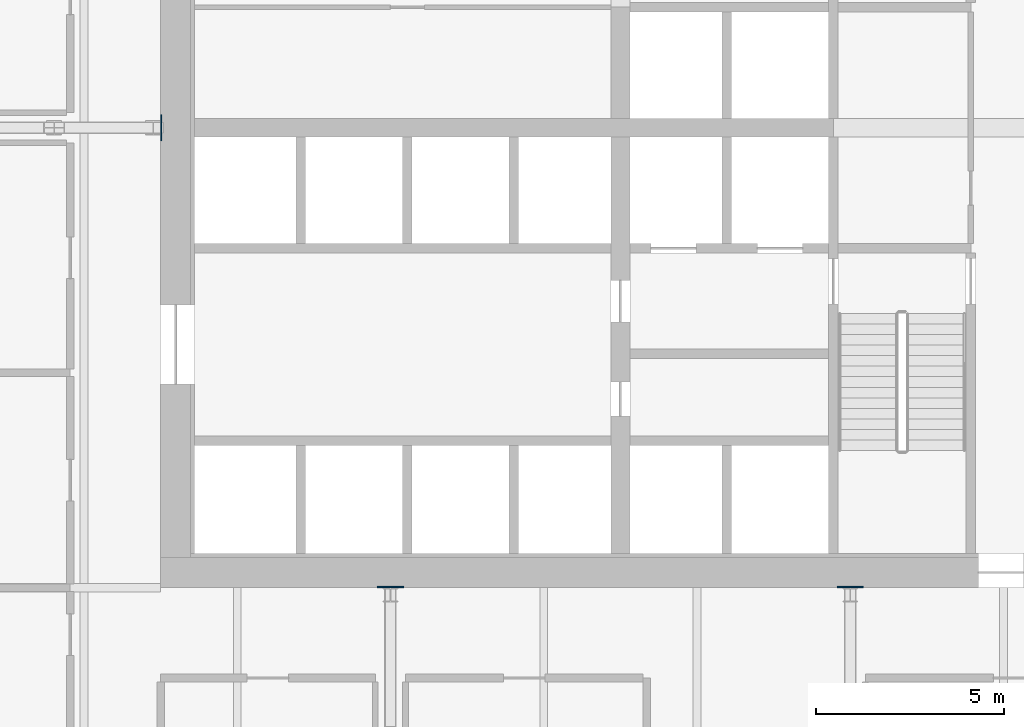
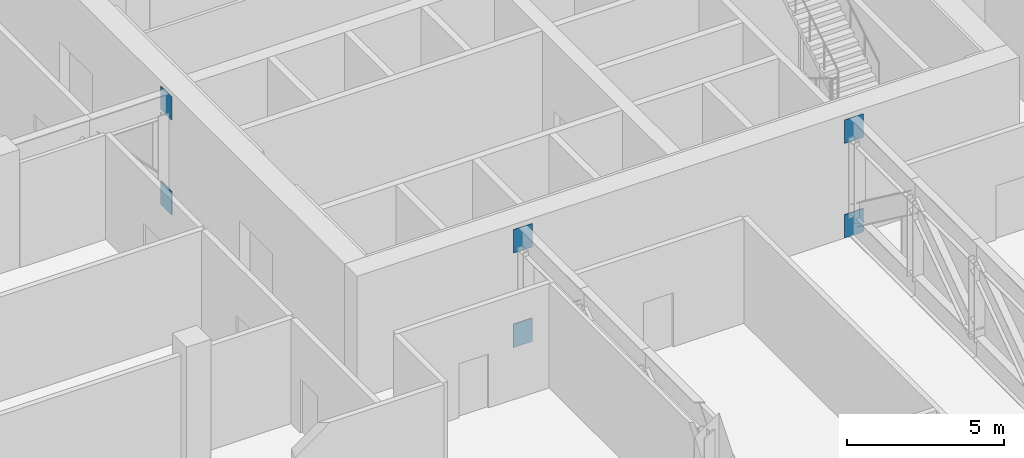
# One storey, part 18 of 21: 6 discrete accessories.
"""IFC4 building model written with IfcOpenShell, lengths in metres."""

import ifcopenshell
import ifcopenshell.guid

model = None  # the IFC model being written
_history = None  # IfcOwnerHistory: only IFC2X3 demands one
_inside = {}  # id of a spatial element -> (the spatial element, [elements in it])
_under = {}  # id of a project, library or spatial element -> (it, [spatial elements below it])
_declared = {}  # id of a project -> (the project, [libraries it declares])
_typed = {}  # id of a type object -> (the type object, [elements of that type])
_made_of = {}  # id of a material, layer set ... -> (it, [elements and type objects made of it])


def new_model(schema):
    """Start an empty IFC model of exactly this schema.

    Asked for "IFC4X3", IfcOpenShell would pick the latest addendum, in which some entities
    have other attributes; the version numbers below select the first issue.
    IFC2X3 requires an IfcOwnerHistory on every rooted entity: one is made here for all.
    """
    global model, _history
    if schema == "IFC4X3":
        model = ifcopenshell.file(schema_version=(4, 3, 0, 0))
    else:
        model = ifcopenshell.file(schema=schema)
    _inside.clear()
    _under.clear()
    _declared.clear()
    _typed.clear()
    _made_of.clear()
    _history = None
    if model.schema == "IFC2X3":
        org = make("IfcOrganization", Name="unknown")
        user = make(
            "IfcPersonAndOrganization",
            ThePerson=make("IfcPerson", FamilyName="unknown"),
            TheOrganization=org,
        )
        app = make(
            "IfcApplication",
            ApplicationDeveloper=org,
            Version="unknown",
            ApplicationFullName="unknown",
            ApplicationIdentifier="unknown",
        )
        _history = make(
            "IfcOwnerHistory",
            OwningUser=user,
            OwningApplication=app,
            ChangeAction="ADDED",
            CreationDate=0,
        )
    return model


def make(cls, **values):
    """One entity of the class cls with the attributes given. An attribute that is None is left unset."""
    return model.create_entity(
        cls, **{name: value for name, value in values.items() if value is not None}
    )


def rooted(cls, **values):
    """An entity with a GlobalId (a new one), such as an element, a storey or a relation."""
    return make(cls, GlobalId=ifcopenshell.guid.new(), OwnerHistory=_history, **values)


def si_unit(unit_type, name, prefix=None):
    """IfcSIUnit, for example si_unit("LENGTHUNIT", "METRE", prefix="MILLI")."""
    return make("IfcSIUnit", UnitType=unit_type, Prefix=prefix, Name=name)


def assignment(units):
    """IfcUnitAssignment: the units of a project."""
    return None if units is None else make("IfcUnitAssignment", Units=units)


def point(xyz):
    """IfcCartesianPoint."""
    return None if xyz is None else make("IfcCartesianPoint", Coordinates=xyz)


def direction(xyz):
    """IfcDirection."""
    return None if xyz is None else make("IfcDirection", DirectionRatios=xyz)


def frame(location, z_axis=None, x_axis=None):
    """IfcAxis2Placement3D, a coordinate frame: its origin and axes. An axis left out is left unset."""
    return make(
        "IfcAxis2Placement3D",
        Location=point(location),
        Axis=direction(z_axis),
        RefDirection=direction(x_axis),
    )


def frame_2d(location, x_axis=None):
    """IfcAxis2Placement2D, a coordinate frame in the plane: its origin and x axis."""
    return make(
        "IfcAxis2Placement2D", Location=point(location), RefDirection=direction(x_axis)
    )


def origin():
    """The frame at (0, 0, 0) with its axes left unset."""
    return frame((0.0, 0.0, 0.0))


def origin_2d():
    """The frame at (0, 0) in the plane with its x axis left unset."""
    return frame_2d((0.0, 0.0))


def place(relative_to, where):
    """IfcLocalPlacement: puts the frame where relative to a parent placement (None: the world)."""
    return make(
        "IfcLocalPlacement", PlacementRelTo=relative_to, RelativePlacement=where
    )


def context(
    kind, dimensions, precision=None, world=None, true_north=None, identifier=None
):
    """IfcGeometricRepresentationContext, for example the 3D "Model" context."""
    return make(
        "IfcGeometricRepresentationContext",
        ContextIdentifier=identifier,
        ContextType=kind,
        CoordinateSpaceDimension=dimensions,
        Precision=precision,
        WorldCoordinateSystem=world,
        TrueNorth=true_north,
    )


def subcontext(parent, identifier, kind, view, scale=None):
    """IfcGeometricRepresentationSubContext, for example "Body" below "Model"."""
    return make(
        "IfcGeometricRepresentationSubContext",
        ContextIdentifier=identifier,
        ContextType=kind,
        ParentContext=parent,
        TargetScale=scale,
        TargetView=view,
    )


def project(units=None, contexts=None):
    """IfcProject with its units and contexts."""
    return rooted(
        "IfcProject",
        Name="project",
        RepresentationContexts=contexts,
        UnitsInContext=assignment(units),
    )


def spatial(cls, under=None, at=None, **own):
    """A site, building, storey or space (cls), placed at a placement, below another one or the project."""
    s = rooted(cls, ObjectPlacement=at, **own)
    if under is not None:
        _under.setdefault(under.id(), (under, []))[1].append(s)
    return s


def profile(cls, at=None, kind="AREA", **sizes):
    """A parametric profile (cls). Its sizes go by their IFC names, for example OverallWidth=200.0."""
    return make(cls, ProfileType=kind, Position=at, **sizes)


def rectangle(**sizes):
    """IfcRectangleProfileDef."""
    return profile("IfcRectangleProfileDef", **sizes)


def extrude(swept, where, along, depth):
    """IfcExtrudedAreaSolid: the profile swept, set in the frame where, extruded along a direction by depth."""
    return make(
        "IfcExtrudedAreaSolid",
        SweptArea=swept,
        Position=where,
        ExtrudedDirection=direction(along),
        Depth=depth,
    )


def shape(context_of_items, identifier, shape_type, items):
    """IfcShapeRepresentation: the items that make up one representation, for example the "Body"."""
    return make(
        "IfcShapeRepresentation",
        ContextOfItems=context_of_items,
        RepresentationIdentifier=identifier,
        RepresentationType=shape_type,
        Items=items,
    )


def material(Name=None, Category=None):
    """IfcMaterial."""
    return make("IfcMaterial", Name=Name, Category=Category)


def layer(
    of_material, thickness, ventilated=None, Name=None, Category=None, Priority=None
):
    """IfcMaterialLayer: one layer of a wall or slab, of a material (None: an air gap)."""
    return make(
        "IfcMaterialLayer",
        Material=of_material,
        LayerThickness=thickness,
        IsVentilated=ventilated,
        Name=Name,
        Category=Category,
        Priority=Priority,
    )


def layer_set(layers, Name=None):
    """IfcMaterialLayerSet."""
    return make("IfcMaterialLayerSet", MaterialLayers=layers, LayerSetName=Name)


def made_of(thing, what):
    """Note that an element or type object is made of a material, layer set ...; save() writes the relation."""
    if what is not None:
        _made_of.setdefault(what.id(), (what, []))[1].append(thing)
    return thing


def type_object(cls, material=None, **own):
    """A type object (cls), such as IfcWallType, which elements share."""
    return made_of(rooted(cls, **own), material)


def element(
    cls,
    number,
    at=None,
    inside=None,
    cuts=None,
    type_object=None,
    material=None,
    context=None,
    identifier="Body",
    shape_type=None,
    held_by="IfcProductDefinitionShape",
    body=None,
    shapes=None,
    **own,
):
    """One element of the class cls, such as IfcWall. Its Tag is "e" and its number.

    at: its placement. inside: the storey or other place that contains it. cuts: it is an
    opening in that element (IfcRelVoidsElement). A single representation is given by context,
    identifier, shape_type and body (its items); several are given by shapes. held_by: the class
    of the entity that holds the representations. save() writes the other relations.
    """
    e = rooted(cls, Tag="e%d" % number, ObjectPlacement=at, **own)
    if body is not None:
        shapes = [shape(context, identifier, shape_type, body)]
    if shapes is not None:
        e.Representation = make(held_by, Representations=shapes)
    if inside is not None:
        _inside.setdefault(inside.id(), (inside, []))[1].append(e)
    if cuts is not None:
        rooted(
            "IfcRelVoidsElement", RelatingBuildingElement=cuts, RelatedOpeningElement=e
        )
    if type_object is not None:
        _typed.setdefault(type_object.id(), (type_object, []))[1].append(e)
    return made_of(e, material)


def aggregate(whole, parts):
    """IfcRelAggregates: a whole, such as a stair, and the parts it consists of."""
    return rooted("IfcRelAggregates", RelatingObject=whole, RelatedObjects=parts)


def save(model, path):
    """Write the relations noted so far, then the file.

    IfcRelAggregates (storeys below a building ...), IfcRelContainedInSpatialStructure (elements
    in a storey), IfcRelDefinesByType, IfcRelAssociatesMaterial and IfcRelDeclares: one each for
    every whole, place, type object, material and project.
    """
    for whole, parts in _under.values():
        aggregate(whole, parts)
    for where, things in _inside.values():
        rooted(
            "IfcRelContainedInSpatialStructure",
            RelatedElements=things,
            RelatingStructure=where,
        )
    for kind, things in _typed.values():
        rooted("IfcRelDefinesByType", RelatedObjects=things, RelatingType=kind)
    for what, things in _made_of.values():
        rooted("IfcRelAssociatesMaterial", RelatedObjects=things, RelatingMaterial=what)
    for by, libraries in _declared.values():
        rooted("IfcRelDeclares", RelatingContext=by, RelatedDefinitions=libraries)
    model.write(path)


model = new_model("IFC4")

# Units and contexts
model_context = context("Model", 3, precision=1e-05, world=origin(), true_north=direction((0.0, 1.0)))
body_context = subcontext(model_context, "Body", "Model", "MODEL_VIEW")
ifc_project = project(units=[si_unit("LENGTHUNIT", "METRE"), si_unit("AREAUNIT", "SQUARE_METRE"), si_unit("VOLUMEUNIT", "CUBIC_METRE"), si_unit("PLANEANGLEUNIT", "RADIAN"), si_unit("MASSUNIT", "GRAM", prefix="KILO")], contexts=[model_context])

# Site, building, storey
site_placement = place(None, origin())
site = spatial("IfcSite", under=ifc_project, at=site_placement, CompositionType="ELEMENT")
building_placement = place(site_placement, origin())
building = spatial("IfcBuilding", under=site, at=building_placement, Name="Tessera Gate Towers", CompositionType="ELEMENT")
storey_placement = place(building_placement, frame((0.0, 0.0, 63.800048828125)))
storey = spatial("IfcBuildingStorey", under=building, at=storey_placement, Name="L15", CompositionType="ELEMENT", Elevation=63.800048828125)

# Discrete accessories
ifc_material = material(Name="Steel 350W", Category="steel")
ifc_layer = layer(ifc_material, 0.031982421875)
ifc_layer_set = layer_set([ifc_layer], Name="CAST-IN PLATE W920x238 CHORD NODE")
discrete_accessory_type = type_object("IfcDiscreteAccessoryType", Name="CAST-IN PLATE W920x238 CHORD NODE", PredefinedType="ANCHORPLATE", material=ifc_layer_set)
for number, where, z_axis, x_axis, name in (
    (1, (30.51611328125, 36.60009765625, 3.684814453125), (0.0, 0.0, 1.0), (1.0, 0.0, 0.0), "Cast-in plate CP1 Outrigger truss T1 L15 W1a top node"),
    (2, (30.51611328125, 36.60009765625, 0.0), (0.0, 0.0, 1.0), (1.0, 0.0, 0.0), "Cast-in plate CP1 Outrigger truss T1 L15 W1a bottom node"),
):
    element("IfcDiscreteAccessory", number, at=place(storey_placement, frame(where, z_axis=z_axis, x_axis=x_axis)), inside=storey, type_object=discrete_accessory_type, Name=name, PredefinedType="ANCHORPLATE", context=body_context, shape_type="SweptSolid", body=[
        extrude(rectangle(XDim=0.031982421875, YDim=0.699951171875, at=origin_2d()), origin(), (0.0, 0.0, 1.0), 0.9150390625),
    ])
for number, where, z_axis, x_axis, name in (
    (3, (36.60009765625, 24.416015625, 3.684814453125), (0.0, 0.0, 1.0), (1.0, 0.0, 0.0), "Cast-in plate CP1 Outrigger truss T1 L15 S1a top node"),
    (4, (36.60009765625, 24.416015625, 0.0), (0.0, 0.0, 1.0), (1.0, 0.0, 0.0), "Cast-in plate CP1 Outrigger truss T1 L15 S1a bottom node"),
    (5, (48.800048828125, 24.416015625, 3.684814453125), (0.0, 0.0, 1.0), (1.0, 0.0, 0.0), "Cast-in plate CP1 Outrigger truss T1 L15 S2a top node"),
    (6, (48.800048828125, 24.416015625, 0.0), (0.0, 0.0, 1.0), (1.0, 0.0, 0.0), "Cast-in plate CP1 Outrigger truss T1 L15 S2a bottom node"),
):
    element("IfcDiscreteAccessory", number, at=place(storey_placement, frame(where, z_axis=z_axis, x_axis=x_axis)), inside=storey, type_object=discrete_accessory_type, Name=name, PredefinedType="ANCHORPLATE", context=body_context, shape_type="SweptSolid", body=[
        extrude(rectangle(XDim=0.699951171875, YDim=0.031982421875, at=origin_2d()), origin(), (0.0, 0.0, 1.0), 0.9150390625),
    ])

save(model, "model.ifc")
